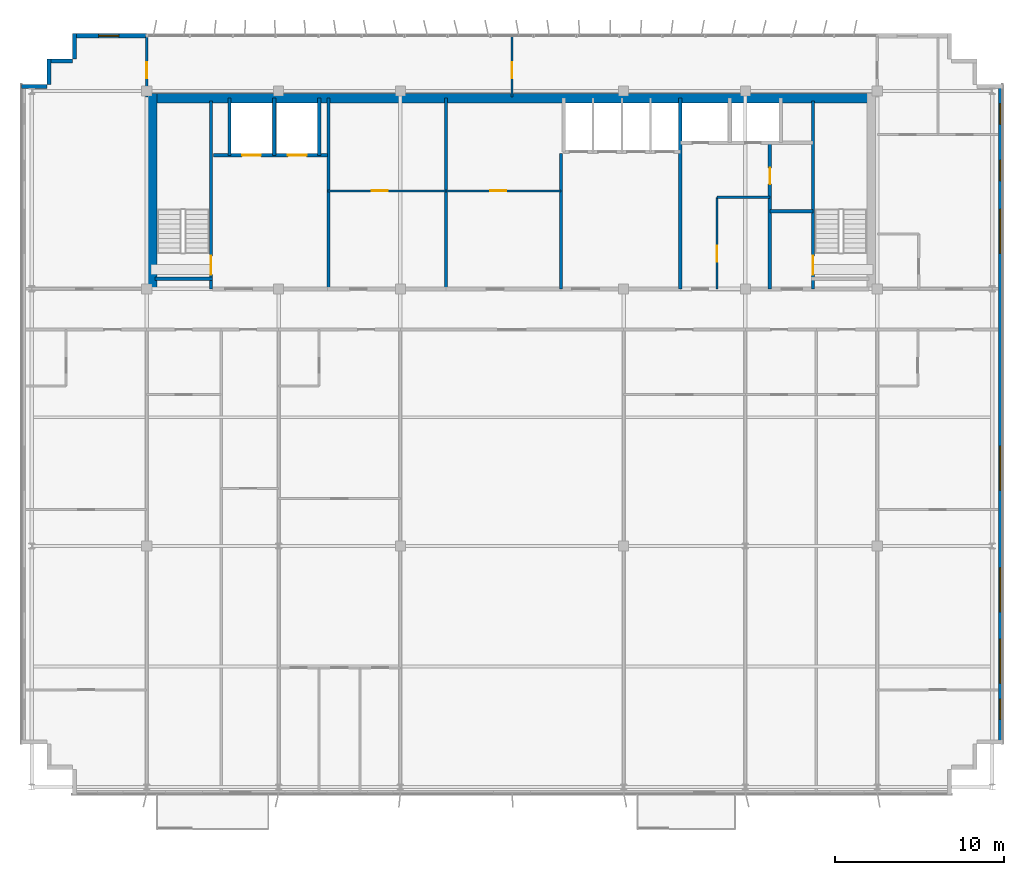
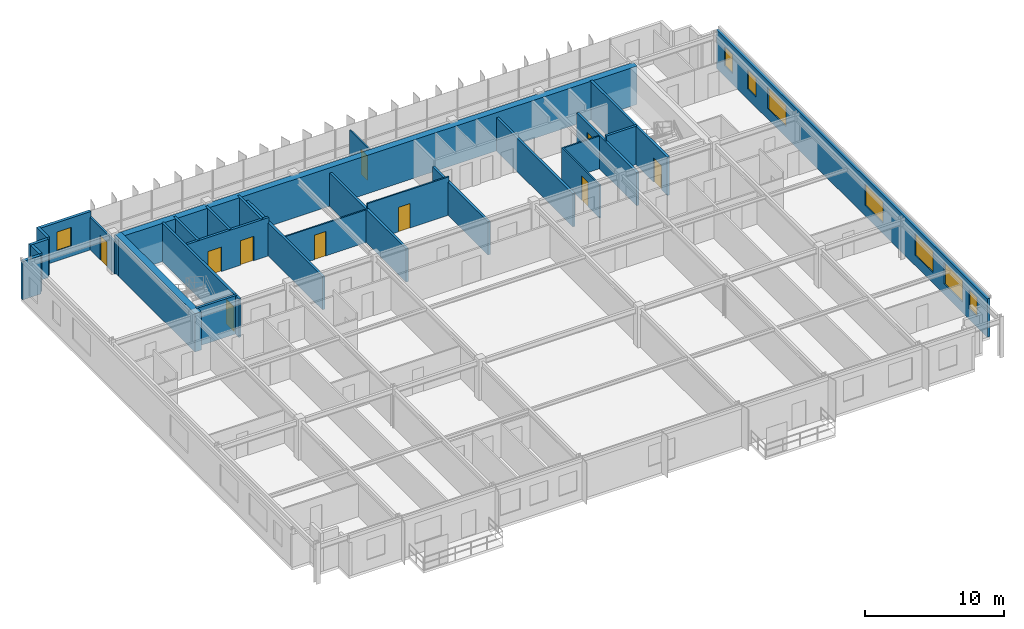
# One storey, part 19 of 22: 27 walls, 10 doors, 8 windows, 18 openings.
"""IFC4 building model written with IfcOpenShell, lengths in metres."""

from ifc_helpers import new_model, si_unit, direction, frame, frame_2d, origin, place, context, subcontext, project, spatial, rectangle, extrude, source, transform, mapped, material, layer, layer_set, type_object, element, fill, save


model = new_model("IFC4")

# Units and contexts
model_context = context("Model", 3, precision=1e-05, world=origin(), true_north=direction((0.0, 1.0)))
body_context = subcontext(model_context, "Body", "Model", "MODEL_VIEW")
ifc_project = project(units=[si_unit("LENGTHUNIT", "METRE"), si_unit("AREAUNIT", "SQUARE_METRE"), si_unit("VOLUMEUNIT", "CUBIC_METRE"), si_unit("PLANEANGLEUNIT", "RADIAN"), si_unit("MASSUNIT", "GRAM", prefix="KILO")], contexts=[model_context])

# Site, building, storey
site_placement = place(None, origin())
site = spatial("IfcSite", under=ifc_project, at=site_placement, CompositionType="ELEMENT")
building_placement = place(site_placement, origin())
building = spatial("IfcBuilding", under=site, at=building_placement, Name="Trelvane Seafront Commons", CompositionType="ELEMENT")
storey_placement = place(building_placement, frame((0.0, 0.0, 277.5)))
storey = spatial("IfcBuildingStorey", under=building, at=storey_placement, Name="L72", CompositionType="ELEMENT", Elevation=277.5)

# Wall, opening, window
ifc_material_1 = material(Name="Precast concrete C40/50", Category="concrete")
ifc_layer_1 = layer(ifc_material_1, 0.239990234375, Name="ARCH-WALL-EXT240")
ifc_layer_set_1 = layer_set([ifc_layer_1], Name="Precast concrete C40/50")
wall_type_1 = type_object("IfcWallType", Name="ARCH-WALL-EXT240", PredefinedType="SOLIDWALL", material=ifc_layer_set_1)
wall_1_placement = place(storey_placement, frame((11.300048828125, 48.3701171875, 0.0), z_axis=(0.0, 0.0, 1.0), x_axis=(1.0, 0.0, 0.0)))
wall_1 = element("IfcWall", 1, at=wall_1_placement, inside=storey, type_object=wall_type_1, Name="EW-L72-NW-1445", PredefinedType="SOLIDWALL", context=body_context, shape_type="SweptSolid", body=[
    extrude(rectangle(XDim=4.300048828125, YDim=0.239990234375, at=frame_2d((2.14990234375, 0.0))), origin(), (0.0, 0.0, 1.0), 3.3701171875),
])
opening_1_placement = place(wall_1_placement, frame((1.4599609375, 0.0, 0.89990234375)))
opening_1 = element("IfcOpeningElement", 2, at=opening_1_placement, cuts=wall_1, Name="Opening W05", PredefinedType="OPENING", context=body_context, shape_type="SweptSolid", body=[
    extrude(rectangle(XDim=1.199951171875, YDim=1.64990234375, at=frame_2d((0.60009765625, 0.824951171875))), frame((0.0, 0.1298828125, 0.0), z_axis=(0.0, -1.0, 0.0), x_axis=(1.0, 0.0, 0.0)), (0.0, 0.0, 1.0), 0.260009765625),
])
ifc_material_2 = material(Name="Low-E coastal double glazing", Category="glass")
window_type_1 = type_object("IfcWindowType", Name="ARCH-WIN-W05", PartitioningType="SINGLE_PANEL", PredefinedType="WINDOW", material=ifc_material_2)
shared_shape_1 = source(origin(), body_context, "Body", "SweptSolid", [
    extrude(rectangle(XDim=1.199951171875, YDim=1.64990234375, at=frame_2d((0.60009765625, 0.824951171875))), frame((0.0, 0.030029296875, 0.0), z_axis=(0.0, -1.0, 0.0), x_axis=(1.0, 0.0, 0.0)), (0.0, 0.0, 1.0), 0.06005859375),
])
window_1_placement = place(opening_1_placement, origin())
window_1 = element("IfcWindow", 3, at=window_1_placement, inside=storey, type_object=window_type_1, Name="WIN-L72-01722", OverallHeight=1.64990234375, OverallWidth=1.199951171875, PartitioningType="SINGLE_PANEL", PredefinedType="WINDOW", context=body_context, shape_type="MappedRepresentation", body=[
    mapped(shared_shape_1, transform((0.0, 0.0, 0.0), x_axis=(1.0, 0.0, 0.0), y_axis=(0.0, 1.0, 0.0), z_axis=(0.0, 0.0, 1.0), scale=1.0)),
])
fill(opening_1, window_1)

# Walls
for number, where, z_axis, x_axis, name in (
    (4, (8.199951171875, 45.3798828125, 0.0), (0.0, 0.0, 1.0), (1.0, 0.0, 0.0), "EW-L72-01451"),
    (5, (9.820068359375, 45.5, 0.0), (0.0, 0.0, 1.0), (0.0, 1.0, 0.0), "EW-L72-01452"),
    (6, (9.699951171875, 46.8798828125, 0.0), (0.0, 0.0, 1.0), (1.0, 0.0, 0.0), "EW-L72-01453"),
    (7, (11.320068359375, 47.0, 0.0), (0.0, 0.0, 1.0), (0.0, 1.0, 0.0), "EW-L72-01454"),
):
    element("IfcWall", number, at=place(storey_placement, frame(where, z_axis=z_axis, x_axis=x_axis)), inside=storey, type_object=wall_type_1, Name=name, PredefinedType="SOLIDWALL", context=body_context, shape_type="SweptSolid", body=[
        extrude(rectangle(XDim=1.5, YDim=0.239990234375, at=frame_2d((0.75, 0.0))), origin(), (0.0, 0.0, 1.0), 3.3701171875),
    ])

# Wall, openings, windows
wall_2_placement = place(storey_placement, frame((66.080078125, 45.5, 0.0), z_axis=(0.0, 0.0, 1.0), x_axis=(0.0, -1.0, 0.0)))
wall_2 = element("IfcWall", 8, at=wall_2_placement, inside=storey, type_object=wall_type_1, Name="EW-L72-01459", PredefinedType="SOLIDWALL", context=body_context, shape_type="SweptSolid", body=[
    extrude(rectangle(XDim=39.0, YDim=0.239990234375, at=frame_2d((19.5, 0.0))), origin(), (0.0, 0.0, 1.0), 3.3701171875),
])
opening_2_placement = place(wall_2_placement, frame((36.35009765625, 0.0, 0.919921875)))
opening_2 = element("IfcOpeningElement", 9, at=opening_2_placement, cuts=wall_2, Name="Opening W05", PredefinedType="OPENING", context=body_context, shape_type="SweptSolid", body=[
    extrude(rectangle(XDim=1.199951171875, YDim=1.64990234375, at=frame_2d((0.60009765625, 0.824951171875))), frame((0.0, 0.1298828125, 0.0), z_axis=(0.0, -1.0, 0.0), x_axis=(1.0, 0.0, 0.0)), (0.0, 0.0, 1.0), 0.260009765625),
])
opening_3_placement = place(wall_2_placement, frame((32.800048828125, 0.0, 0.919921875)))
opening_3 = element("IfcOpeningElement", 10, at=opening_3_placement, cuts=wall_2, Name="Opening W04", PredefinedType="OPENING", context=body_context, shape_type="SweptSolid", body=[
    extrude(rectangle(XDim=2.60009765625, YDim=1.89990234375, at=frame_2d((1.300048828125, 0.949951171875))), frame((0.0, 0.1298828125, 0.0), z_axis=(0.0, -1.0, 0.0), x_axis=(1.0, 0.0, 0.0)), (0.0, 0.0, 1.0), 0.260009765625),
])
opening_4_placement = place(wall_2_placement, frame((28.60009765625, 0.0, 0.919921875)))
opening_4 = element("IfcOpeningElement", 11, at=opening_4_placement, cuts=wall_2, Name="Opening W04", PredefinedType="OPENING", context=body_context, shape_type="SweptSolid", body=[
    extrude(rectangle(XDim=2.60009765625, YDim=1.89990234375, at=frame_2d((1.300048828125, 0.949951171875))), frame((0.0, 0.1298828125, 0.0), z_axis=(0.0, -1.0, 0.0), x_axis=(1.0, 0.0, 0.0)), (0.0, 0.0, 1.0), 0.260009765625),
])
opening_5_placement = place(wall_2_placement, frame((21.39990234375, 0.0, 0.919921875)))
opening_5 = element("IfcOpeningElement", 12, at=opening_5_placement, cuts=wall_2, Name="Opening W04", PredefinedType="OPENING", context=body_context, shape_type="SweptSolid", body=[
    extrude(rectangle(XDim=2.60009765625, YDim=1.89990234375, at=frame_2d((1.300048828125, 0.949951171875))), frame((0.0, 0.1298828125, 0.0), z_axis=(0.0, -1.0, 0.0), x_axis=(1.0, 0.0, 0.0)), (0.0, 0.0, 1.0), 0.260009765625),
])
opening_6_placement = place(wall_2_placement, frame((7.39990234375, 0.0, 0.919921875)))
opening_6 = element("IfcOpeningElement", 13, at=opening_6_placement, cuts=wall_2, Name="Opening W04", PredefinedType="OPENING", context=body_context, shape_type="SweptSolid", body=[
    extrude(rectangle(XDim=2.60009765625, YDim=1.89990234375, at=frame_2d((1.300048828125, 0.949951171875))), frame((0.0, 0.1298828125, 0.0), z_axis=(0.0, -1.0, 0.0), x_axis=(1.0, 0.0, 0.0)), (0.0, 0.0, 1.0), 0.260009765625),
])
opening_7_placement = place(wall_2_placement, frame((4.5, 0.0, 0.919921875)))
opening_7 = element("IfcOpeningElement", 14, at=opening_7_placement, cuts=wall_2, Name="Opening W05", PredefinedType="OPENING", context=body_context, shape_type="SweptSolid", body=[
    extrude(rectangle(XDim=1.199951171875, YDim=1.64990234375, at=frame_2d((0.60009765625, 0.824951171875))), frame((0.0, 0.1298828125, 0.0), z_axis=(0.0, -1.0, 0.0), x_axis=(1.0, 0.0, 0.0)), (0.0, 0.0, 1.0), 0.260009765625),
])
opening_8_placement = place(wall_2_placement, frame((1.14990234375, 0.0, 0.919921875)))
opening_8 = element("IfcOpeningElement", 15, at=opening_8_placement, cuts=wall_2, Name="Opening W05", PredefinedType="OPENING", context=body_context, shape_type="SweptSolid", body=[
    extrude(rectangle(XDim=1.199951171875, YDim=1.64990234375, at=frame_2d((0.60009765625, 0.824951171875))), frame((0.0, 0.1298828125, 0.0), z_axis=(0.0, -1.0, 0.0), x_axis=(1.0, 0.0, 0.0)), (0.0, 0.0, 1.0), 0.260009765625),
])
window_type_2 = type_object("IfcWindowType", Name="ARCH-WIN-W04", PartitioningType="SINGLE_PANEL", PredefinedType="WINDOW", material=ifc_material_2)
shared_shape_2 = source(origin(), body_context, "Body", "SweptSolid", [
    extrude(rectangle(XDim=2.60009765625, YDim=1.89990234375, at=frame_2d((1.300048828125, 0.949951171875))), frame((0.0, 0.030029296875, 0.0), z_axis=(0.0, -1.0, 0.0), x_axis=(1.0, 0.0, 0.0)), (0.0, 0.0, 1.0), 0.06005859375),
])
window_2_placement = place(opening_3_placement, origin())
window_2 = element("IfcWindow", 16, at=window_2_placement, inside=storey, type_object=window_type_2, Name="WIN-L72-EW-01732", OverallHeight=1.89990234375, OverallWidth=2.60009765625, PartitioningType="SINGLE_PANEL", PredefinedType="WINDOW", context=body_context, shape_type="MappedRepresentation", body=[
    mapped(shared_shape_2, transform((0.0, 0.0, 0.0), x_axis=(1.0, 0.0, 0.0), y_axis=(0.0, 1.0, 0.0), z_axis=(0.0, 0.0, 1.0), scale=1.0)),
])
fill(opening_3, window_2)
window_3_placement = place(opening_4_placement, origin())
window_3 = element("IfcWindow", 17, at=window_3_placement, inside=storey, type_object=window_type_2, Name="WIN-L72-EW-01733", OverallHeight=1.89990234375, OverallWidth=2.60009765625, PartitioningType="SINGLE_PANEL", PredefinedType="WINDOW", context=body_context, shape_type="MappedRepresentation", body=[
    mapped(shared_shape_2, transform((0.0, 0.0, 0.0), x_axis=(1.0, 0.0, 0.0), y_axis=(0.0, 1.0, 0.0), z_axis=(0.0, 0.0, 1.0), scale=1.0)),
])
fill(opening_4, window_3)
window_4_placement = place(opening_5_placement, origin())
window_4 = element("IfcWindow", 18, at=window_4_placement, inside=storey, type_object=window_type_2, Name="WIN-L72-EW-01734", OverallHeight=1.89990234375, OverallWidth=2.60009765625, PartitioningType="SINGLE_PANEL", PredefinedType="WINDOW", context=body_context, shape_type="MappedRepresentation", body=[
    mapped(shared_shape_2, transform((0.0, 0.0, 0.0), x_axis=(1.0, 0.0, 0.0), y_axis=(0.0, 1.0, 0.0), z_axis=(0.0, 0.0, 1.0), scale=1.0)),
])
fill(opening_5, window_4)
window_5_placement = place(opening_6_placement, origin())
window_5 = element("IfcWindow", 19, at=window_5_placement, inside=storey, type_object=window_type_2, Name="WIN-L72-EW-01735", OverallHeight=1.89990234375, OverallWidth=2.60009765625, PartitioningType="SINGLE_PANEL", PredefinedType="WINDOW", context=body_context, shape_type="MappedRepresentation", body=[
    mapped(shared_shape_2, transform((0.0, 0.0, 0.0), x_axis=(1.0, 0.0, 0.0), y_axis=(0.0, 1.0, 0.0), z_axis=(0.0, 0.0, 1.0), scale=1.0)),
])
fill(opening_6, window_5)
window_6_placement = place(opening_2_placement, origin())
window_6 = element("IfcWindow", 20, at=window_6_placement, inside=storey, type_object=window_type_1, Name="WIN-L72-EW-01731", OverallHeight=1.64990234375, OverallWidth=1.199951171875, PartitioningType="SINGLE_PANEL", PredefinedType="WINDOW", context=body_context, shape_type="MappedRepresentation", body=[
    mapped(shared_shape_1, transform((0.0, 0.0, 0.0), x_axis=(1.0, 0.0, 0.0), y_axis=(0.0, 1.0, 0.0), z_axis=(0.0, 0.0, 1.0), scale=1.0)),
])
fill(opening_2, window_6)
window_7_placement = place(opening_7_placement, origin())
window_7 = element("IfcWindow", 21, at=window_7_placement, inside=storey, type_object=window_type_1, Name="WIN-L72-EW-01736", OverallHeight=1.64990234375, OverallWidth=1.199951171875, PartitioningType="SINGLE_PANEL", PredefinedType="WINDOW", context=body_context, shape_type="MappedRepresentation", body=[
    mapped(shared_shape_1, transform((0.0, 0.0, 0.0), x_axis=(1.0, 0.0, 0.0), y_axis=(0.0, 1.0, 0.0), z_axis=(0.0, 0.0, 1.0), scale=1.0)),
])
fill(opening_7, window_7)
window_8_placement = place(opening_8_placement, origin())
window_8 = element("IfcWindow", 22, at=window_8_placement, inside=storey, type_object=window_type_1, Name="WIN-L72-EW-01737", OverallHeight=1.64990234375, OverallWidth=1.199951171875, PartitioningType="SINGLE_PANEL", PredefinedType="WINDOW", context=body_context, shape_type="MappedRepresentation", body=[
    mapped(shared_shape_1, transform((0.0, 0.0, 0.0), x_axis=(1.0, 0.0, 0.0), y_axis=(0.0, 1.0, 0.0), z_axis=(0.0, 0.0, 1.0), scale=1.0)),
])
fill(opening_8, window_8)

# Wall, opening, door
ifc_material_3 = material(Name="Concrete C40/50", Category="concrete")
ifc_layer_2 = layer(ifc_material_3, 0.199951171875, Name="ARCH-WALL-FIRE200")
ifc_layer_set_2 = layer_set([ifc_layer_2], Name="Concrete C40/50")
wall_type_2 = type_object("IfcWallType", Name="ARCH-WALL-FIRE200", PredefinedType="PARTITIONING", material=ifc_layer_set_2)
wall_3_placement = place(storey_placement, frame((52.449951171875, 33.39990234375, 0.0), z_axis=(0.0, 0.0, 1.0), x_axis=(0.0, 1.0, 0.0)))
wall_3 = element("IfcWall", 23, at=wall_3_placement, inside=storey, type_object=wall_type_2, Name="W-L72-ST2V-W-030", PredefinedType="PARTITIONING", context=body_context, shape_type="SweptSolid", body=[
    extrude(rectangle(XDim=8.650146484375, YDim=0.199951171875, at=frame_2d((4.3251953125, 0.0))), origin(), (0.0, 0.0, 1.0), 2.919921875),
])
opening_9_placement = place(wall_3_placement, frame((6.199951171875, 0.0, 0.0)))
opening_9 = element("IfcOpeningElement", 24, at=opening_9_placement, cuts=wall_3, Name="Opening FD-L72-17", PredefinedType="OPENING", context=body_context, shape_type="SweptSolid", body=[
    extrude(rectangle(XDim=0.949951171875, YDim=2.14990234375, at=frame_2d((0.47509765625, 1.074951171875))), frame((0.0, 0.10986328125, 0.0), z_axis=(0.0, -1.0, 0.0), x_axis=(1.0, 0.0, 0.0)), (0.0, 0.0, 1.0), 0.219970703125),
])
ifc_material_4 = material(Name="Powder-coated aluminium frame", Category="aluminium")
door_type_1 = type_object("IfcDoorType", Name="ARCH-DR-FD60-950", OperationType="NOTDEFINED", PredefinedType="DOOR", material=ifc_material_4)
shared_shape_3 = source(origin(), body_context, "Body", "SweptSolid", [
    extrude(rectangle(XDim=0.949951171875, YDim=2.14990234375, at=frame_2d((0.47509765625, 1.074951171875))), frame((0.0, 0.02490234375, 0.0), z_axis=(0.0, -1.0, 0.0), x_axis=(1.0, 0.0, 0.0)), (0.0, 0.0, 1.0), 0.050048828125),
])
door_1_placement = place(opening_9_placement, origin())
door_1 = element("IfcDoor", 25, at=door_1_placement, inside=storey, type_object=door_type_1, Name="L72 Cleaner Store Door", OperationType="SINGLE_SWING_LEFT", OverallHeight=2.14990234375, OverallWidth=0.949951171875, PredefinedType="DOOR", context=body_context, shape_type="MappedRepresentation", body=[
    mapped(shared_shape_3, transform((0.0, 0.0, 0.0), x_axis=(1.0, 0.0, 0.0), y_axis=(0.0, 1.0, 0.0), z_axis=(0.0, 0.0, 1.0), scale=1.0)),
])
fill(opening_9, door_1)

# Wall
wall_4_placement = place(storey_placement, frame((52.449951171875, 38.0, 0.0), z_axis=(0.0, 0.0, 1.0), x_axis=(1.0, 0.0, 0.0)))
element("IfcWall", 26, at=wall_4_placement, inside=storey, type_object=wall_type_2, Name="W-L72-ST2V-N-031", PredefinedType="PARTITIONING", context=body_context, shape_type="SweptSolid", body=[
    extrude(rectangle(XDim=2.550048828125, YDim=0.199951171875, at=frame_2d((1.27490234375, 0.0))), origin(), (0.0, 0.0, 1.0), 3.3701171875),
])

# Wall, opening, door
ifc_material_5 = material(Name="Gypsum Drywall Acoustic Partition")
ifc_layer_3 = layer(ifc_material_5, 0.1201171875, Name="ARCH-WALL-PART120")
ifc_layer_set_3 = layer_set([ifc_layer_3], Name="Gypsum Drywall Acoustic Partition")
wall_type_3 = type_object("IfcWallType", Name="ARCH-WALL-PART120", PredefinedType="PARTITIONING", material=ifc_layer_set_3)
wall_5_placement = place(storey_placement, frame((26.300048828125, 39.199951171875, 0.0), z_axis=(0.0, 0.0, 1.0), x_axis=(1.0, 0.0, 0.0)))
wall_5 = element("IfcWall", 27, at=wall_5_placement, inside=storey, type_object=wall_type_3, Name="W-L72-FREED-PL-MID-014", PredefinedType="PARTITIONING", context=body_context, shape_type="SweptSolid", body=[
    extrude(rectangle(XDim=7.0, YDim=0.1201171875, at=frame_2d((3.5, 0.0))), origin(), (0.0, 0.0, 1.0), 2.8701171875),
])
opening_10_placement = place(wall_5_placement, frame((2.60009765625, 0.0, 0.0)))
opening_10 = element("IfcOpeningElement", 28, at=opening_10_placement, cuts=wall_5, Name="Opening D-L72-06", PredefinedType="OPENING", context=body_context, shape_type="SweptSolid", body=[
    extrude(rectangle(XDim=0.949951171875, YDim=2.14990234375, at=frame_2d((0.47509765625, 1.074951171875))), frame((0.0, 0.070068359375, 0.0), z_axis=(0.0, -1.0, 0.0), x_axis=(1.0, 0.0, 0.0)), (0.0, 0.0, 1.0), 0.14013671875),
])
ifc_material_6 = material(Name="Acoustic timber door leaf", Category="wood")
door_type_2 = type_object("IfcDoorType", Name="ARCH-DR-INT950", OperationType="NOTDEFINED", PredefinedType="DOOR", material=ifc_material_6)
door_2_placement = place(opening_10_placement, origin())
door_2 = element("IfcDoor", 29, at=door_2_placement, inside=storey, type_object=door_type_2, Name="L72 Housekeeping Store Door", OperationType="SINGLE_SWING_RIGHT", OverallHeight=2.14990234375, OverallWidth=0.949951171875, PredefinedType="DOOR", context=body_context, shape_type="MappedRepresentation", body=[
    mapped(shared_shape_3, transform((0.0, 0.0, 0.0), x_axis=(1.0, 0.0, 0.0), y_axis=(0.0, 1.0, 0.0), z_axis=(0.0, 0.0, 1.0), scale=1.0)),
])
fill(opening_10, door_2)

wall_6_placement = place(storey_placement, frame((33.300048828125, 39.199951171875, 0.0), z_axis=(0.0, 0.0, 1.0), x_axis=(1.0, 0.0, 0.0)))
wall_6 = element("IfcWall", 30, at=wall_6_placement, inside=storey, type_object=wall_type_3, Name="W-L72-FREED-PM-MID-016", PredefinedType="PARTITIONING", context=body_context, shape_type="SweptSolid", body=[
    extrude(rectangle(XDim=6.800048828125, YDim=0.1201171875, at=frame_2d((3.39990234375, 0.0))), origin(), (0.0, 0.0, 1.0), 3.3701171875),
])
opening_11_placement = place(wall_6_placement, frame((2.60009765625, 0.0, 0.0)))
opening_11 = element("IfcOpeningElement", 31, at=opening_11_placement, cuts=wall_6, Name="Opening D-L72-07", PredefinedType="OPENING", context=body_context, shape_type="SweptSolid", body=[
    extrude(rectangle(XDim=0.949951171875, YDim=2.14990234375, at=frame_2d((0.47509765625, 1.074951171875))), frame((0.0, 0.070068359375, 0.0), z_axis=(0.0, -1.0, 0.0), x_axis=(1.0, 0.0, 0.0)), (0.0, 0.0, 1.0), 0.14013671875),
])
door_3_placement = place(opening_11_placement, origin())
door_3 = element("IfcDoor", 32, at=door_3_placement, inside=storey, type_object=door_type_2, Name="L72 IT Comms Room Door", OperationType="SINGLE_SWING_LEFT", OverallHeight=2.14990234375, OverallWidth=0.949951171875, PredefinedType="DOOR", context=body_context, shape_type="MappedRepresentation", body=[
    mapped(shared_shape_3, transform((0.0, 0.0, 0.0), x_axis=(1.0, 0.0, 0.0), y_axis=(0.0, 1.0, 0.0), z_axis=(0.0, 0.0, 1.0), scale=1.0)),
])
fill(opening_11, door_3)

wall_7_placement = place(storey_placement, frame((49.320068359375, 33.39990234375, 0.0), z_axis=(0.0, 0.0, 1.0), x_axis=(0.0, 1.0, 0.0)))
wall_7 = element("IfcWall", 33, at=wall_7_placement, inside=storey, type_object=wall_type_3, Name="W-L72-CYC2-V-032", PredefinedType="PARTITIONING", context=body_context, shape_type="SweptSolid", body=[
    extrude(rectangle(XDim=5.420166015625, YDim=0.1201171875, at=frame_2d((2.7099609375, 0.0))), origin(), (0.0, 0.0, 1.0), 2.919921875),
])
opening_12_placement = place(wall_7_placement, frame((1.60009765625, 0.0, 0.0)))
opening_12 = element("IfcOpeningElement", 34, at=opening_12_placement, cuts=wall_7, Name="Opening D-L72-18", PredefinedType="OPENING", context=body_context, shape_type="SweptSolid", body=[
    extrude(rectangle(XDim=0.949951171875, YDim=2.14990234375, at=frame_2d((0.47509765625, 1.074951171875))), frame((0.0, 0.070068359375, 0.0), z_axis=(0.0, -1.0, 0.0), x_axis=(1.0, 0.0, 0.0)), (0.0, 0.0, 1.0), 0.14013671875),
])
door_4_placement = place(opening_12_placement, origin())
door_4 = element("IfcDoor", 35, at=door_4_placement, inside=storey, type_object=door_type_2, Name="L72 Accessible WC Door", OperationType="SINGLE_SWING_RIGHT", OverallHeight=2.14990234375, OverallWidth=0.949951171875, PredefinedType="DOOR", context=body_context, shape_type="MappedRepresentation", body=[
    mapped(shared_shape_3, transform((0.0, 0.0, 0.0), x_axis=(1.0, 0.0, 0.0), y_axis=(0.0, 1.0, 0.0), z_axis=(0.0, 0.0, 1.0), scale=1.0)),
])
fill(opening_12, door_4)

# Wall
wall_8_placement = place(storey_placement, frame((49.320068359375, 38.820068359375, 0.0), z_axis=(0.0, 0.0, 1.0), x_axis=(1.0, 0.0, 0.0)))
element("IfcWall", 36, at=wall_8_placement, inside=storey, type_object=wall_type_3, Name="W-L72-CYC2-H-033", PredefinedType="PARTITIONING", context=body_context, shape_type="SweptSolid", body=[
    extrude(rectangle(XDim=3.1298828125, YDim=0.1201171875, at=frame_2d((1.56494140625, 0.0))), origin(), (0.0, 0.0, 1.0), 2.8701171875),
])

# Wall, opening, door
wall_9_placement = place(storey_placement, frame((37.199951171875, 44.75, 0.0), z_axis=(0.0, 0.0, 1.0), x_axis=(0.0, 1.0, 0.0)))
wall_9 = element("IfcWall", 37, at=wall_9_placement, inside=storey, type_object=wall_type_3, Name="W-L72-N-MID-DV-042", PredefinedType="PARTITIONING", context=body_context, shape_type="SweptSolid", body=[
    extrude(rectangle(XDim=3.610107421875, YDim=0.1201171875, at=frame_2d((1.80517578125, 0.0))), origin(), (0.0, 0.0, 1.0), 2.919921875),
])
opening_13_placement = place(wall_9_placement, frame((1.10009765625, 0.0, 0.0)))
opening_13 = element("IfcOpeningElement", 38, at=opening_13_placement, cuts=wall_9, Name="Opening D-L72-26", PredefinedType="OPENING", context=body_context, shape_type="SweptSolid", body=[
    extrude(rectangle(XDim=0.949951171875, YDim=2.14990234375, at=frame_2d((0.47509765625, 1.074951171875))), frame((0.0, 0.070068359375, 0.0), z_axis=(0.0, -1.0, 0.0), x_axis=(1.0, 0.0, 0.0)), (0.0, 0.0, 1.0), 0.14013671875),
])
door_5_placement = place(opening_13_placement, origin())
door_5 = element("IfcDoor", 39, at=door_5_placement, inside=storey, type_object=door_type_2, Name="L72 Door 26", OperationType="SINGLE_SWING_RIGHT", OverallHeight=2.14990234375, OverallWidth=0.949951171875, PredefinedType="DOOR", context=body_context, shape_type="MappedRepresentation", body=[
    mapped(shared_shape_3, transform((0.0, 0.0, 0.0), x_axis=(1.0, 0.0, 0.0), y_axis=(0.0, 1.0, 0.0), z_axis=(0.0, 0.0, 1.0), scale=1.0)),
])
fill(opening_13, door_5)

ifc_layer_4 = layer(ifc_material_5, 0.14990234375, Name="ARCH-WALL-PART150")
ifc_layer_set_4 = layer_set([ifc_layer_4], Name="Gypsum Drywall Acoustic Partition")
wall_type_4 = type_object("IfcWallType", Name="ARCH-WALL-PART150", PredefinedType="PARTITIONING", material=ifc_layer_set_4)
wall_10_placement = place(storey_placement, frame((15.60009765625, 44.75, 0.0), z_axis=(0.0, 0.0, 1.0), x_axis=(0.0, 1.0, 0.0)))
wall_10 = element("IfcWall", 40, at=wall_10_placement, inside=storey, type_object=wall_type_4, Name="W-L72-N-LINK-W-043", PredefinedType="PARTITIONING", context=body_context, shape_type="SweptSolid", body=[
    extrude(rectangle(XDim=3.610107421875, YDim=0.14990234375, at=frame_2d((1.80517578125, 0.0))), origin(), (0.0, 0.0, 1.0), 2.8701171875),
])
opening_14_placement = place(wall_10_placement, frame((1.10009765625, 0.0, 0.0)))
opening_14 = element("IfcOpeningElement", 41, at=opening_14_placement, cuts=wall_10, Name="Opening FD-L72-27", PredefinedType="OPENING", context=body_context, shape_type="SweptSolid", body=[
    extrude(rectangle(XDim=0.949951171875, YDim=2.14990234375, at=frame_2d((0.47509765625, 1.074951171875))), frame((0.0, 0.0849609375, 0.0), z_axis=(0.0, -1.0, 0.0), x_axis=(1.0, 0.0, 0.0)), (0.0, 0.0, 1.0), 0.169921875),
])
door_6_placement = place(opening_14_placement, origin())
door_6 = element("IfcDoor", 42, at=door_6_placement, inside=storey, type_object=door_type_1, Name="L72 Door 27", OperationType="SINGLE_SWING_LEFT", OverallHeight=2.14990234375, OverallWidth=0.949951171875, PredefinedType="DOOR", context=body_context, shape_type="MappedRepresentation", body=[
    mapped(shared_shape_3, transform((0.0, 0.0, 0.0), x_axis=(1.0, 0.0, 0.0), y_axis=(0.0, 1.0, 0.0), z_axis=(0.0, 0.0, 1.0), scale=1.0)),
])
fill(opening_14, door_6)

# Wall, openings, doors
ifc_layer_5 = layer(ifc_material_3, 0.199951171875, Name="ARCH-WALL-SHAFT200")
ifc_layer_set_5 = layer_set([ifc_layer_5], Name="Concrete C40/50")
wall_type_5 = type_object("IfcWallType", Name="ARCH-WALL-SHAFT200", PredefinedType="SOLIDWALL", material=ifc_layer_set_5)
wall_11_placement = place(storey_placement, frame((19.550048828125, 41.300048828125, 0.0), z_axis=(0.0, 0.0, 1.0), x_axis=(1.0, 0.0, 0.0)))
wall_11 = element("IfcWall", 43, at=wall_11_placement, inside=storey, type_object=wall_type_5, Name="W-L72-FFL-FRONT-008", PredefinedType="SOLIDWALL", context=body_context, shape_type="SweptSolid", body=[
    extrude(rectangle(XDim=6.75, YDim=0.199951171875, at=frame_2d((3.375, 0.0))), origin(), (0.0, 0.0, 1.0), 3.3701171875),
])
opening_15_placement = place(wall_11_placement, frame((1.699951171875, 0.0, 0.0)))
opening_15 = element("IfcOpeningElement", 44, at=opening_15_placement, cuts=wall_11, Name="Opening LD-FF1-L72", PredefinedType="OPENING", context=body_context, shape_type="SweptSolid", body=[
    extrude(rectangle(XDim=1.10009765625, YDim=2.14990234375, at=frame_2d((0.550048828125, 1.074951171875))), frame((0.0, 0.10986328125, 0.0), z_axis=(0.0, -1.0, 0.0), x_axis=(1.0, 0.0, 0.0)), (0.0, 0.0, 1.0), 0.219970703125),
])
opening_16_placement = place(wall_11_placement, frame((4.39990234375, 0.0, 0.0)))
opening_16 = element("IfcOpeningElement", 45, at=opening_16_placement, cuts=wall_11, Name="Opening LD-FF2-L72", PredefinedType="OPENING", context=body_context, shape_type="SweptSolid", body=[
    extrude(rectangle(XDim=1.10009765625, YDim=2.14990234375, at=frame_2d((0.550048828125, 1.074951171875))), frame((0.0, 0.10986328125, 0.0), z_axis=(0.0, -1.0, 0.0), x_axis=(1.0, 0.0, 0.0)), (0.0, 0.0, 1.0), 0.219970703125),
])
ifc_material_7 = material(Name="Stainless steel balustrade", Category="steel")
door_type_3 = type_object("IfcDoorType", Name="ARCH-DR-LD1100", OperationType="DOUBLE_DOOR_SLIDING", PredefinedType="DOOR", material=ifc_material_7)
shared_shape_4 = source(origin(), body_context, "Body", "SweptSolid", [
    extrude(rectangle(XDim=1.10009765625, YDim=2.14990234375, at=frame_2d((0.550048828125, 1.074951171875))), frame((0.0, 0.02490234375, 0.0), z_axis=(0.0, -1.0, 0.0), x_axis=(1.0, 0.0, 0.0)), (0.0, 0.0, 1.0), 0.050048828125),
])
door_7_placement = place(opening_15_placement, origin())
door_7 = element("IfcDoor", 46, at=door_7_placement, inside=storey, type_object=door_type_3, Name="L72 Firefighting Lift FFL-1 Landing Door", OperationType="DOUBLE_DOOR_SLIDING", OverallHeight=2.14990234375, OverallWidth=1.10009765625, PredefinedType="DOOR", context=body_context, shape_type="MappedRepresentation", body=[
    mapped(shared_shape_4, transform((0.0, 0.0, 0.0), x_axis=(1.0, 0.0, 0.0), y_axis=(0.0, 1.0, 0.0), z_axis=(0.0, 0.0, 1.0), scale=1.0)),
])
fill(opening_15, door_7)
door_8_placement = place(opening_16_placement, origin())
door_8 = element("IfcDoor", 47, at=door_8_placement, inside=storey, type_object=door_type_3, Name="L72 Firefighting Lift FFL-2 Landing Door", OperationType="DOUBLE_DOOR_SLIDING", OverallHeight=2.14990234375, OverallWidth=1.10009765625, PredefinedType="DOOR", context=body_context, shape_type="MappedRepresentation", body=[
    mapped(shared_shape_4, transform((0.0, 0.0, 0.0), x_axis=(1.0, 0.0, 0.0), y_axis=(0.0, 1.0, 0.0), z_axis=(0.0, 0.0, 1.0), scale=1.0)),
])
fill(opening_16, door_8)

# Walls
for number, where, z_axis, x_axis, name in (
    (48, (20.5, 41.300048828125, 0.0), (0.0, 0.0, 1.0), (0.0, 1.0, 0.0), "W-L72-FFL-SH-W-009"),
    (49, (23.14990234375, 41.300048828125, 0.0), (0.0, 0.0, 1.0), (0.0, 1.0, 0.0), "W-L72-FFL-DIV-010"),
    (50, (25.800048828125, 41.300048828125, 0.0), (0.0, 0.0, 1.0), (0.0, 1.0, 0.0), "W-L72-FFL-SH-E-011"),
):
    element("IfcWall", number, at=place(storey_placement, frame(where, z_axis=z_axis, x_axis=x_axis)), inside=storey, type_object=wall_type_5, Name=name, PredefinedType="SOLIDWALL", context=body_context, shape_type="SweptSolid", body=[
        extrude(rectangle(XDim=3.39990234375, YDim=0.199951171875, at=frame_2d((1.699951171875, 0.0))), origin(), (0.0, 0.0, 1.0), 3.3701171875),
    ])
for number, where, z_axis, x_axis, name in (
    (51, (26.35009765625, 33.39990234375, 0.0), (0.0, 0.0, 1.0), (0.0, 1.0, 0.0), "W-L72-FFL-EAST-012"),
    (52, (33.300048828125, 33.39990234375, 0.0), (0.0, 0.0, 1.0), (0.0, 1.0, 0.0), "W-L72-FREED-PL-E-015"),
):
    element("IfcWall", number, at=place(storey_placement, frame(where, z_axis=z_axis, x_axis=x_axis)), inside=storey, type_object=wall_type_5, Name=name, PredefinedType="SOLIDWALL", context=body_context, shape_type="SweptSolid", body=[
        extrude(rectangle(XDim=11.300048828125, YDim=0.199951171875, at=frame_2d((5.64990234375, 0.0))), origin(), (0.0, 0.0, 1.0), 2.919921875),
    ])
wall_12_placement = place(storey_placement, frame((40.10009765625, 33.39990234375, 0.0), z_axis=(0.0, 0.0, 1.0), x_axis=(0.0, 1.0, 0.0)))
element("IfcWall", 53, at=wall_12_placement, inside=storey, type_object=wall_type_5, Name="W-L72-FREED-PM-E-017", PredefinedType="SOLIDWALL", context=body_context, shape_type="SweptSolid", body=[
    extrude(rectangle(XDim=8.0, YDim=0.199951171875, at=frame_2d((4.0, 0.0))), origin(), (0.0, 0.0, 1.0), 2.919921875),
])
wall_13_placement = place(storey_placement, frame((47.14990234375, 33.39990234375, 0.0), z_axis=(0.0, 0.0, 1.0), x_axis=(0.0, 1.0, 0.0)))
element("IfcWall", 54, at=wall_13_placement, inside=storey, type_object=wall_type_5, Name="W-L72-PH-EAST-023", PredefinedType="SOLIDWALL", context=body_context, shape_type="SweptSolid", body=[
    extrude(rectangle(XDim=11.300048828125, YDim=0.199951171875, at=frame_2d((5.64990234375, 0.0))), origin(), (0.0, 0.0, 1.0), 2.919921875),
])
ifc_material_8 = material(Name="Concrete C50/60", Category="concrete")
ifc_layer_6 = layer(ifc_material_8, 0.550048828125, Name="STR-WALL-CORE550")
ifc_layer_set_6 = layer_set([ifc_layer_6], Name="Concrete C50/60")
wall_type_6 = type_object("IfcWallType", Name="STR-WALL-CORE550", PredefinedType="SHEAR", material=ifc_layer_set_6)
wall_14_placement = place(storey_placement, frame((15.64990234375, 44.675048828125, 0.0), z_axis=(0.0, 0.0, 1.0), x_axis=(1.0, 0.0, 0.0)))
element("IfcWall", 55, at=wall_14_placement, inside=storey, type_object=wall_type_6, Name="W-L72-CN-ALL-001", PredefinedType="SHEAR", context=body_context, shape_type="SweptSolid", body=[
    extrude(rectangle(XDim=43.10009765625, YDim=0.550048828125, at=frame_2d((21.550048828125, 0.0))), origin(), (0.0, 0.0, 1.0), 3.3701171875),
])
wall_15_placement = place(storey_placement, frame((15.925048828125, 33.39990234375, 0.0), z_axis=(0.0, 0.0, 1.0), x_axis=(0.0, 1.0, 0.0)))
element("IfcWall", 56, at=wall_15_placement, inside=storey, type_object=wall_type_6, Name="W-L72-CW-END-002", PredefinedType="SHEAR", context=body_context, shape_type="SweptSolid", body=[
    extrude(rectangle(XDim=11.550048828125, YDim=0.550048828125, at=frame_2d((5.77490234375, 0.0))), origin(), (0.0, 0.0, 1.0), 3.3701171875),
])
ifc_layer_7 = layer(ifc_material_8, 0.199951171875, Name="STR-WALL-STAIR200")
ifc_layer_set_7 = layer_set([ifc_layer_7], Name="Concrete C50/60")
wall_type_7 = type_object("IfcWallType", Name="STR-WALL-STAIR200", PredefinedType="SHEAR", material=ifc_layer_set_7)
wall_16_placement = place(storey_placement, frame((16.10009765625, 34.0, 0.0), z_axis=(0.0, 0.0, 1.0), x_axis=(1.0, 0.0, 0.0)))
element("IfcWall", 57, at=wall_16_placement, inside=storey, type_object=wall_type_7, Name="W-L72-ST1-S-004", PredefinedType="SHEAR", context=body_context, shape_type="SweptSolid", body=[
    extrude(rectangle(XDim=3.39990234375, YDim=0.199951171875, at=frame_2d((1.699951171875, 0.0))), origin(), (0.0, 0.0, 1.0), 3.3701171875),
])

# Wall, opening, door
wall_17_placement = place(storey_placement, frame((19.39990234375, 33.39990234375, 0.0), z_axis=(0.0, 0.0, 1.0), x_axis=(0.0, 1.0, 0.0)))
wall_17 = element("IfcWall", 58, at=wall_17_placement, inside=storey, type_object=wall_type_7, Name="W-L72-ST1-E-005", PredefinedType="SHEAR", context=body_context, shape_type="SweptSolid", body=[
    extrude(rectangle(XDim=11.10009765625, YDim=0.199951171875, at=frame_2d((5.550048828125, 0.0))), origin(), (0.0, 0.0, 1.0), 3.3701171875),
])
opening_17_placement = place(wall_17_placement, frame((0.85009765625, 0.0, 0.0)))
opening_17 = element("IfcOpeningElement", 59, at=opening_17_placement, cuts=wall_17, Name="Opening ST-D1-L72", PredefinedType="OPENING", context=body_context, shape_type="SweptSolid", body=[
    extrude(rectangle(XDim=1.10009765625, YDim=2.14990234375, at=frame_2d((0.550048828125, 1.074951171875))), frame((0.0, 0.10986328125, 0.0), z_axis=(0.0, -1.0, 0.0), x_axis=(1.0, 0.0, 0.0)), (0.0, 0.0, 1.0), 0.219970703125),
])
door_type_4 = type_object("IfcDoorType", Name="ARCH-DR-FD90-1100", OperationType="NOTDEFINED", PredefinedType="DOOR", material=ifc_material_4)
door_9_placement = place(opening_17_placement, origin())
door_9 = element("IfcDoor", 60, at=door_9_placement, inside=storey, type_object=door_type_4, Name="L72 Stair ST-1 Lobby Fire Door", OperationType="SINGLE_SWING_LEFT", OverallHeight=2.14990234375, OverallWidth=1.10009765625, PredefinedType="DOOR", context=body_context, shape_type="MappedRepresentation", body=[
    mapped(shared_shape_4, transform((0.0, 0.0, 0.0), x_axis=(1.0, 0.0, 0.0), y_axis=(0.0, 1.0, 0.0), z_axis=(0.0, 0.0, 1.0), scale=1.0)),
])
fill(opening_17, door_9)

wall_18_placement = place(storey_placement, frame((55.0, 33.39990234375, 0.0), z_axis=(0.0, 0.0, 1.0), x_axis=(0.0, 1.0, 0.0)))
wall_18 = element("IfcWall", 61, at=wall_18_placement, inside=storey, type_object=wall_type_7, Name="W-L72-ST2-W-007", PredefinedType="SHEAR", context=body_context, shape_type="SweptSolid", body=[
    extrude(rectangle(XDim=11.10009765625, YDim=0.199951171875, at=frame_2d((5.550048828125, 0.0))), origin(), (0.0, 0.0, 1.0), 3.3701171875),
])
opening_18_placement = place(wall_18_placement, frame((0.85009765625, 0.0, 0.0)))
opening_18 = element("IfcOpeningElement", 62, at=opening_18_placement, cuts=wall_18, Name="Opening ST-D2-L72", PredefinedType="OPENING", context=body_context, shape_type="SweptSolid", body=[
    extrude(rectangle(XDim=1.10009765625, YDim=2.14990234375, at=frame_2d((0.550048828125, 1.074951171875))), frame((0.0, 0.10986328125, 0.0), z_axis=(0.0, -1.0, 0.0), x_axis=(1.0, 0.0, 0.0)), (0.0, 0.0, 1.0), 0.219970703125),
])
door_10_placement = place(opening_18_placement, origin())
door_10 = element("IfcDoor", 63, at=door_10_placement, inside=storey, type_object=door_type_4, Name="L72 Stair ST-2 Vestibule Fire Door", OperationType="SINGLE_SWING_RIGHT", OverallHeight=2.14990234375, OverallWidth=1.10009765625, PredefinedType="DOOR", context=body_context, shape_type="MappedRepresentation", body=[
    mapped(shared_shape_4, transform((0.0, 0.0, 0.0), x_axis=(1.0, 0.0, 0.0), y_axis=(0.0, 1.0, 0.0), z_axis=(0.0, 0.0, 1.0), scale=1.0)),
])
fill(opening_18, door_10)

save(model, "model.ifc")
